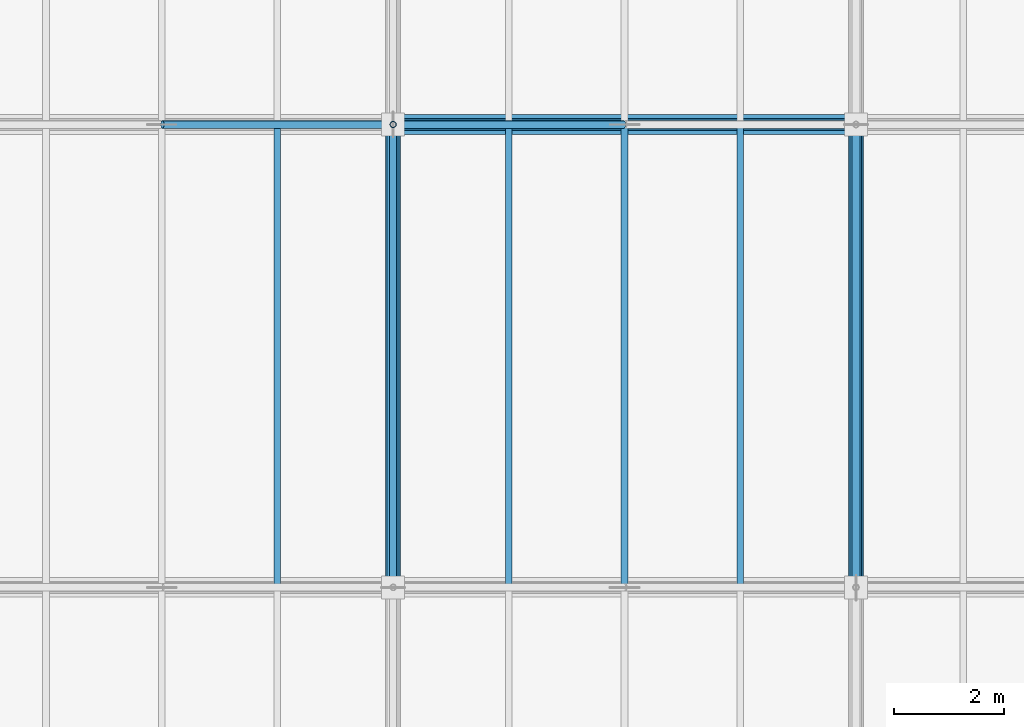
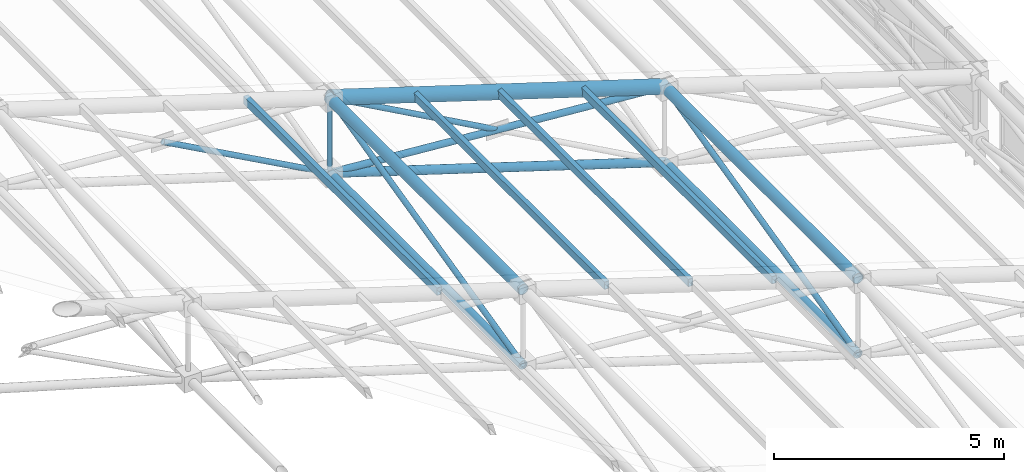
# One storey, part 89 of 144: 16 members.
"""IFC4 building model written with IfcOpenShell, lengths in metres."""

from ifc_helpers import new_model, si_unit, direction, frame, origin, origin_2d, place, context, subcontext, project, spatial, hollow_rectangle, hollow_circle, extrude, material, material_profile, profile_set, type_object, element, save


model = new_model("IFC4")

# Units and contexts
model_context = context("Model", 3, precision=1e-05, world=origin(), true_north=direction((0.0, 1.0)))
body_context = subcontext(model_context, "Body", "Model", "MODEL_VIEW")
ifc_project = project(units=[si_unit("LENGTHUNIT", "METRE"), si_unit("AREAUNIT", "SQUARE_METRE"), si_unit("VOLUMEUNIT", "CUBIC_METRE"), si_unit("PLANEANGLEUNIT", "RADIAN"), si_unit("MASSUNIT", "GRAM", prefix="KILO")], contexts=[model_context])

# Site, building, storey
site_placement = place(None, origin())
site = spatial("IfcSite", under=ifc_project, at=site_placement, CompositionType="ELEMENT")
building_placement = place(site_placement, origin())
building = spatial("IfcBuilding", under=site, at=building_placement, Name="Zayran Congress Hotel", CompositionType="ELEMENT")
storey_placement = place(building_placement, frame((0.0, 0.0, 19.199951171875)))
storey = spatial("IfcBuildingStorey", under=building, at=storey_placement, Name="L04", CompositionType="ELEMENT", Elevation=19.199951171875)

# Members
ifc_material = material(Name="Steel S355", Category="steel")
ifc_material_profile_1 = material_profile(ifc_material, hollow_circle(Radius=0.177734375, WallThickness=0.01611328125, at=origin_2d()), Name="CHS 355.6x16")
ifc_profile_set_1 = profile_set([ifc_material_profile_1], Name="Steel S355")
member_type_1 = type_object("IfcMemberType", Name="TP-SF-TC1", PredefinedType="CHORD", material=ifc_profile_set_1)
member_1_placement = place(storey_placement, frame((75.60009765625, 92.800048828125, 7.302001953125), z_axis=(0.953670596398, 0.0, -0.300852777228), x_axis=(0.0, 1.0, 0.0)))
element("IfcMember", 1, at=member_1_placement, inside=storey, type_object=member_type_1, Name="Space Frame Top Chord X 461", PredefinedType="CHORD", context=body_context, shape_type="SweptSolid", body=[
    extrude(hollow_circle(Radius=0.177734375, WallThickness=0.01611328125, at=origin_2d()), origin(), (0.0, 0.0, 1.0), 8.807861328125),
])
ifc_material_profile_2 = material_profile(ifc_material, hollow_circle(Radius=0.136474609375, WallThickness=0.012451171875, at=origin_2d()), Name="CHS 273x12.5")
ifc_profile_set_2 = profile_set([ifc_material_profile_2], Name="Steel S355")
member_type_2 = type_object("IfcMemberType", Name="TP-SF-TC2", PredefinedType="CHORD", material=ifc_profile_set_2)
for number, where, z_axis, x_axis, name in (
    (2, (75.60009765625, 84.39990234375, 7.302001953125), (0.0, 1.0, 0.0), (-1.0, 0.0, 0.0), "Space Frame Top Chord Y 457"),
    (3, (84.0, 84.39990234375, 4.652099609375), (0.0, 1.0, 0.0), (-1.0, 0.0, 0.0), "Space Frame Top Chord Y 510"),
):
    element("IfcMember", number, at=place(storey_placement, frame(where, z_axis=z_axis, x_axis=x_axis)), inside=storey, type_object=member_type_2, Name=name, PredefinedType="CHORD", context=body_context, shape_type="SweptSolid", body=[
        extrude(hollow_circle(Radius=0.136474609375, WallThickness=0.012451171875, at=origin_2d()), origin(), (0.0, 0.0, 1.0), 8.400146484375),
    ])
ifc_material_profile_3 = material_profile(ifc_material, hollow_circle(Radius=0.109619140625, WallThickness=0.010009765625, at=origin_2d()), Name="CHS 219.1x10")
ifc_profile_set_3 = profile_set([ifc_material_profile_3], Name="Steel S355")
member_type_3 = type_object("IfcMemberType", Name="TP-SF-BC1", PredefinedType="CHORD", material=ifc_profile_set_3)
member_2_placement = place(storey_placement, frame((75.60009765625, 84.39990234375, 5.300048828125), z_axis=(0.0, 1.0, 0.0), x_axis=(-1.0, 0.0, 0.0)))
element("IfcMember", 4, at=member_2_placement, inside=storey, type_object=member_type_3, Name="Space Frame Bottom Chord Y 458", PredefinedType="CHORD", context=body_context, shape_type="SweptSolid", body=[
    extrude(hollow_circle(Radius=0.109619140625, WallThickness=0.010009765625, at=origin_2d()), origin(), (0.0, 0.0, 1.0), 8.400146484375),
])
member_3_placement = place(storey_placement, frame((75.60009765625, 92.800048828125, 5.300048828125), z_axis=(0.953670596398, 0.0, -0.300852777228), x_axis=(0.0, 1.0, 0.0)))
element("IfcMember", 5, at=member_3_placement, inside=storey, type_object=member_type_3, Name="Space Frame Bottom Chord X 462", PredefinedType="CHORD", context=body_context, shape_type="SweptSolid", body=[
    extrude(hollow_circle(Radius=0.109619140625, WallThickness=0.010009765625, at=origin_2d()), origin(), (0.0, 0.0, 1.0), 8.807861328125),
])
member_4_placement = place(storey_placement, frame((84.0, 84.39990234375, 2.650146484375), z_axis=(0.0, 1.0, 0.0), x_axis=(-1.0, 0.0, 0.0)))
element("IfcMember", 6, at=member_4_placement, inside=storey, type_object=member_type_3, Name="Space Frame Bottom Chord Y 511", PredefinedType="CHORD", context=body_context, shape_type="SweptSolid", body=[
    extrude(hollow_circle(Radius=0.109619140625, WallThickness=0.010009765625, at=origin_2d()), origin(), (0.0, 0.0, 1.0), 8.400146484375),
])
ifc_material_profile_4 = material_profile(ifc_material, hollow_circle(Radius=0.084228515625, WallThickness=0.008056640625, at=origin_2d()), Name="CHS 168.3x8")
ifc_profile_set_4 = profile_set([ifc_material_profile_4], Name="Steel S355")
member_type_4 = type_object("IfcMemberType", Name="TP-SF-DG1", PredefinedType="BRACE", material=ifc_profile_set_4)
member_5_placement = place(storey_placement, frame((75.60009765625, 92.800048828125, 5.300048828125), z_axis=(0.997038098414, 0.0, -0.076909234238), x_axis=(0.0, 1.0, 0.0)))
element("IfcMember", 7, at=member_5_placement, inside=storey, type_object=member_type_4, Name="Space Frame Web Diagonal X 463", PredefinedType="BRACE", context=body_context, shape_type="SweptSolid", body=[
    extrude(hollow_circle(Radius=0.084228515625, WallThickness=0.008056640625, at=origin_2d()), origin(), (0.0, 0.0, 1.0), 8.4248046875),
])
ifc_material_profile_5 = material_profile(ifc_material, hollow_circle(Radius=0.06982421875, WallThickness=0.00634765625, at=origin_2d()), Name="CHS 139.7x6.3")
ifc_profile_set_5 = profile_set([ifc_material_profile_5], Name="Steel S355")
member_type_5 = type_object("IfcMemberType", Name="TP-SF-DG2", PredefinedType="BRACE", material=ifc_profile_set_5)
member_6_placement = place(storey_placement, frame((71.4130859375, 92.800048828125, 7.59375), z_axis=(0.877024445647, 0.0, -0.480445753169), x_axis=(0.0, 1.0, 0.0)))
element("IfcMember", 8, at=member_6_placement, inside=storey, type_object=member_type_5, Name="Space Frame Counter Diagonal X Lower 65", PredefinedType="BRACE", context=body_context, shape_type="SweptSolid", body=[
    extrude(hollow_circle(Radius=0.06982421875, WallThickness=0.00634765625, at=origin_2d()), origin(), (0.0, 0.0, 1.0), 4.774169921875),
])
member_7_placement = place(storey_placement, frame((75.60009765625, 84.39990234375, 5.300048828125), z_axis=(0.0, 0.972756139537, 0.231830742122), x_axis=(-1.0, 0.0, 0.0)))
element("IfcMember", 9, at=member_7_placement, inside=storey, type_object=member_type_5, Name="Space Frame Web Diagonal Y 459", PredefinedType="BRACE", context=body_context, shape_type="SweptSolid", body=[
    extrude(hollow_circle(Radius=0.06982421875, WallThickness=0.00634765625, at=origin_2d()), origin(), (0.0, 0.0, 1.0), 8.635498046875),
])
member_8_placement = place(storey_placement, frame((75.60009765625, 92.800048828125, 7.302001953125), z_axis=(0.874810980482, 0.0, -0.484464393355), x_axis=(0.0, 1.0, 0.0)))
element("IfcMember", 10, at=member_8_placement, inside=storey, type_object=member_type_5, Name="Space Frame Counter Diagonal X Upper 464", PredefinedType="BRACE", context=body_context, shape_type="SweptSolid", body=[
    extrude(hollow_circle(Radius=0.06982421875, WallThickness=0.00634765625, at=origin_2d()), origin(), (0.0, 0.0, 1.0), 4.785888671875),
])
member_9_placement = place(storey_placement, frame((84.0, 84.39990234375, 2.650146484375), z_axis=(0.0, 0.972756139537, 0.231830742122), x_axis=(-1.0, 0.0, 0.0)))
element("IfcMember", 11, at=member_9_placement, inside=storey, type_object=member_type_5, Name="Space Frame Web Diagonal Y 512", PredefinedType="BRACE", context=body_context, shape_type="SweptSolid", body=[
    extrude(hollow_circle(Radius=0.06982421875, WallThickness=0.00634765625, at=origin_2d()), origin(), (0.0, 0.0, 1.0), 8.635498046875),
])
ifc_material_profile_6 = material_profile(ifc_material, hollow_circle(Radius=0.05712890625, WallThickness=0.00634765625, at=origin_2d()), Name="CHS 114.3x6.3")
ifc_profile_set_6 = profile_set([ifc_material_profile_6], Name="Steel S355")
member_type_6 = type_object("IfcMemberType", Name="TP-SF-DG3", PredefinedType="BRACE", material=ifc_profile_set_6)
member_10_placement = place(storey_placement, frame((75.60009765625, 92.800048828125, 5.300048828125), z_axis=(0.0, 0.0, 1.0), x_axis=(0.0, 1.0, 0.0)))
element("IfcMember", 12, at=member_10_placement, inside=storey, type_object=member_type_6, Name="Space Frame Web Strut 468", PredefinedType="BRACE", context=body_context, shape_type="SweptSolid", body=[
    extrude(hollow_circle(Radius=0.05712890625, WallThickness=0.00634765625, at=origin_2d()), origin(), (0.0, 0.0, 1.0), 2.001953125),
])
ifc_material_profile_7 = material_profile(ifc_material, hollow_rectangle(XDim=0.1201171875, YDim=0.199951171875, WallThickness=0.008056640625, at=origin_2d()), Name="RHS 200x120x8")
ifc_profile_set_7 = profile_set([ifc_material_profile_7], Name="Steel S355")
member_type_7 = type_object("IfcMemberType", Name="TP-PR-01", PredefinedType="PURLIN", material=ifc_profile_set_7)
for number, where, z_axis, x_axis, name in (
    (13, (73.5, 84.39990234375, 7.994140625), (0.0, 1.0, 0.0), (-1.0, 0.0, 0.0), "MEM-PR-V1-0141"),
    (14, (77.699951171875, 84.39990234375, 6.681640625), (0.0, 1.0, 0.0), (-1.0, 0.0, 0.0), "MEM-PR-V1-0147"),
    (15, (79.800048828125, 84.39990234375, 6.01904296875), (0.0, 1.0, 0.0), (-1.0, 0.0, 0.0), "MEM-PR-V1-0153"),
    (16, (81.89990234375, 84.39990234375, 5.3564453125), (0.0, 1.0, 0.0), (-1.0, 0.0, 0.0), "MEM-PR-V1-0159"),
):
    element("IfcMember", number, at=place(storey_placement, frame(where, z_axis=z_axis, x_axis=x_axis)), inside=storey, type_object=member_type_7, Name=name, PredefinedType="PURLIN", context=body_context, shape_type="SweptSolid", body=[
        extrude(hollow_rectangle(XDim=0.1201171875, YDim=0.199951171875, WallThickness=0.008056640625, at=origin_2d()), origin(), (0.0, 0.0, 1.0), 8.400146484375),
    ])

save(model, "model.ifc")
